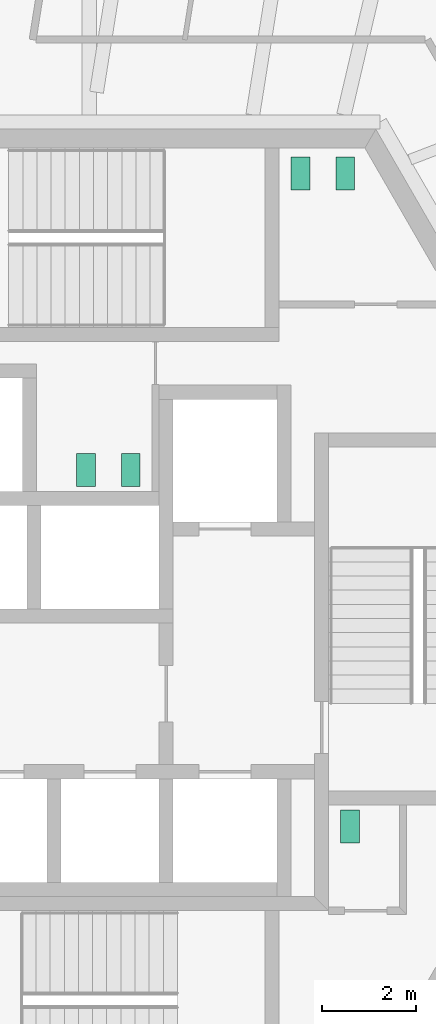
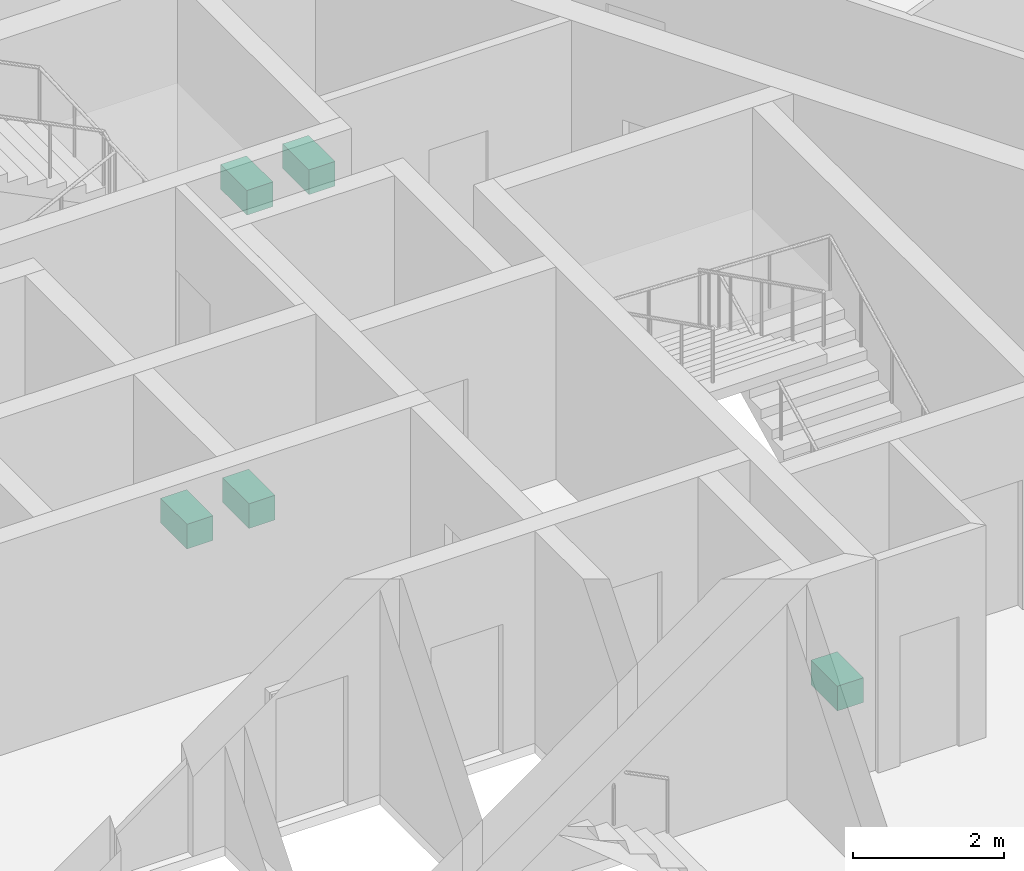
# One storey, part 17 of 19: 5 sanitary terminals.
"""IFC4 building model written with IfcOpenShell, lengths in metres."""

from ifc_helpers import new_model, si_unit, direction, frame, origin, origin_2d, place, context, subcontext, project, spatial, rectangle, extrude, source, transform, mapped, material, element, save


model = new_model("IFC4")

# Units and contexts
model_context = context("Model", 3, precision=1e-05, world=origin(), true_north=direction((0.0, 1.0)))
body_context = subcontext(model_context, "Body", "Model", "MODEL_VIEW")
ifc_project = project(units=[si_unit("LENGTHUNIT", "METRE"), si_unit("AREAUNIT", "SQUARE_METRE"), si_unit("VOLUMEUNIT", "CUBIC_METRE"), si_unit("PLANEANGLEUNIT", "RADIAN"), si_unit("MASSUNIT", "GRAM", prefix="KILO")], contexts=[model_context])

# Site, building, storey
site_placement = place(None, origin())
site = spatial("IfcSite", under=ifc_project, at=site_placement, CompositionType="ELEMENT")
building_placement = place(site_placement, origin())
building = spatial("IfcBuilding", under=site, at=building_placement, Name="Triune Harvest Tower", CompositionType="ELEMENT")
storey_placement = place(building_placement, frame((0.0, 0.0, 142.5)))
storey = spatial("IfcBuildingStorey", under=building, at=storey_placement, Name="L36", CompositionType="ELEMENT", Elevation=142.5)

# Sanitary terminals
ifc_material = material(Name="Vitreous china")
shared_shape = source(origin(), body_context, "Body", "SweptSolid", [
    extrude(rectangle(XDim=0.39990234375, YDim=0.699951171875, at=origin_2d()), origin(), (0.0, 0.0, 1.0), 0.39990234375),
])
for number, where, z_axis, x_axis, name in (
    (1, (4.39990234375, 9.449951171875, 0.0), (0.0, 0.0, 1.0), (1.0, 0.0, 0.0), "Toilet pan L36.c01"),
    (2, (5.35009765625, 9.449951171875, 0.0), (0.0, 0.0, 1.0), (1.0, 0.0, 0.0), "Toilet pan L36.c02"),
    (3, (0.800048828125, 3.159912109375, 0.0), (0.0, 0.0, 1.0), (-1.0, 0.0, 0.0), "Toilet pan L36.c03"),
    (4, (-0.14990234375, 3.159912109375, 0.0), (0.0, 0.0, 1.0), (-1.0, 0.0, 0.0), "Toilet pan L36.c04"),
    (5, (5.449951171875, -4.39990234375, 0.0), (0.0, 0.0, 1.0), (1.0, 0.0, 0.0), "Toilet pan L36.c05"),
):
    element("IfcSanitaryTerminal", number, at=place(storey_placement, frame(where, z_axis=z_axis, x_axis=x_axis)), inside=storey, material=ifc_material, Name=name, PredefinedType="TOILETPAN", context=body_context, shape_type="MappedRepresentation", body=[
        mapped(shared_shape, transform((0.0, 0.0, 0.0), scale=1.0)),
    ])

save(model, "model.ifc")
